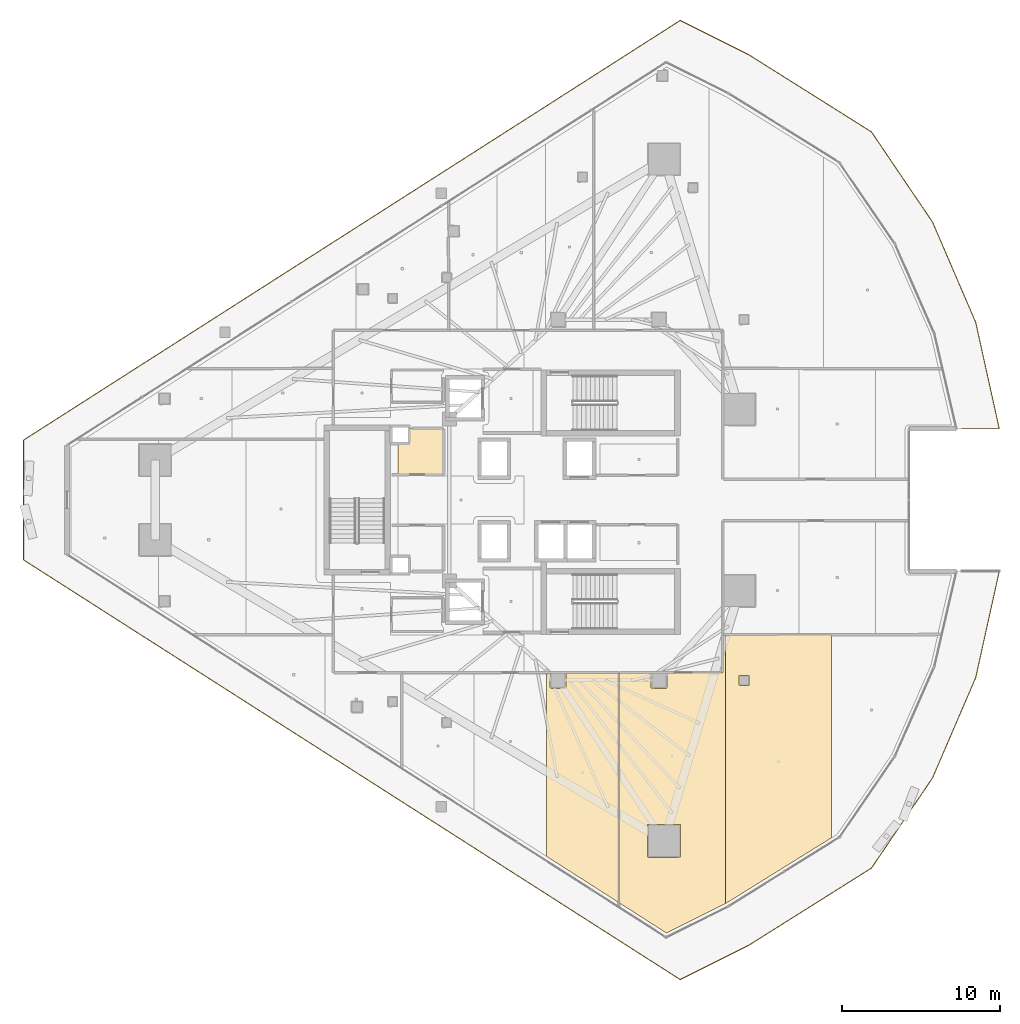
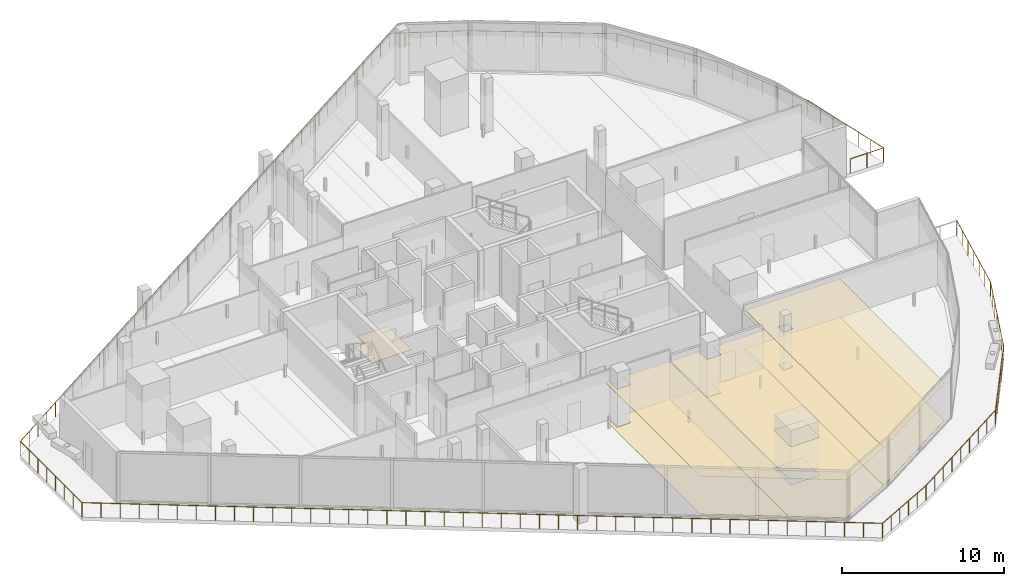
# One storey, part 33 of 37: 7 coverings, 1 railing.
"""IFC4 building model written with IfcOpenShell, lengths in metres."""

from ifc_helpers import new_model, si_unit, direction, frame, origin, origin_2d, place, context, subcontext, project, spatial, polyline, circle, outline, extrude, material, layer, layer_set, type_object, element, save


model = new_model("IFC4")

# Units and contexts
model_context = context("Model", 3, precision=1e-05, world=origin(), true_north=direction((0.0, 1.0)))
body_context = subcontext(model_context, "Body", "Model", "MODEL_VIEW")
ifc_project = project(units=[si_unit("LENGTHUNIT", "METRE"), si_unit("AREAUNIT", "SQUARE_METRE"), si_unit("VOLUMEUNIT", "CUBIC_METRE"), si_unit("PLANEANGLEUNIT", "RADIAN"), si_unit("MASSUNIT", "GRAM", prefix="KILO")], contexts=[model_context])

# Site, building, storey
site_placement = place(None, origin())
site = spatial("IfcSite", under=ifc_project, at=site_placement, CompositionType="ELEMENT")
building_placement = place(site_placement, origin())
building = spatial("IfcBuilding", under=site, at=building_placement, Name="Qorvath Tower", CompositionType="ELEMENT")
storey_placement = place(building_placement, frame((0.0, 0.0, 196.949951171875)))
storey = spatial("IfcBuildingStorey", under=building, at=storey_placement, Name="L45", CompositionType="ELEMENT", Elevation=196.949951171875)

# Coverings
ifc_material_1 = material(Name="Acoustic mineral fibre ceiling tile", Category="gypsum")
ifc_layer_1 = layer(ifc_material_1, 0.030029296875)
ifc_layer_set_1 = layer_set([ifc_layer_1], Name="COV-CEIL")
covering_type_1 = type_object("IfcCoveringType", Name="COV-CEIL", PredefinedType="CEILING", material=ifc_layer_set_1)
covering_1_placement = place(storey_placement, frame((0.0, 0.0, 2.85009765625)))
element("IfcCovering", 1, at=covering_1_placement, inside=storey, type_object=covering_type_1, Name="L45 Suspended Acoustic Ceiling 024", PredefinedType="CEILING", context=body_context, shape_type="SweptSolid", body=[
    extrude(outline(polyline([(-24.340087890625, -10.962890625), (-24.340087890625, -22.61279296875), (-19.75732421875, -25.5419921875), (-19.75732421875, -10.962890625), (-23.105224609375, -10.962890625), (-23.107666015625, -11.9423828125), (-24.050048828125, -11.9599609375), (-24.110107421875, -11.89990234375), (-24.0947265625, -10.962890625), (-24.340087890625, -10.962890625)])), origin(), (0.0, 0.0, 1.0), 0.030029296875),
])
covering_2_placement = place(storey_placement, frame((0.0, 0.0, 2.85009765625)))
element("IfcCovering", 2, at=covering_2_placement, inside=storey, type_object=covering_type_1, Name="L45 Suspended Acoustic Ceiling 025", PredefinedType="CEILING", context=body_context, shape_type="SweptSolid", body=[
    extrude(outline(polyline([(-17.694580078125, -10.962890625), (-19.7392578125, -10.962890625), (-19.7392578125, -25.553466796875), (-16.7275390625, -27.478271484375), (-12.99365234375, -25.611328125), (-12.99365234375, -8.554931640625), (-13.136962890625, -8.554931640625), (-13.138427734375, -10.96142578125), (-16.705322265625, -10.962890625), (-16.68994140625, -11.89990234375), (-16.75, -11.9599609375), (-17.6923828125, -11.9423828125), (-17.694580078125, -10.962890625)]), holes=[polyline([(-17.931640625, -22.627197265625), (-17.9140625, -20.584716796875), (-15.829345703125, -20.584716796875), (-15.829345703125, -22.66943359375), (-17.87158203125, -22.68701171875), (-17.931640625, -22.627197265625)])]), origin(), (0.0, 0.0, 1.0), 0.030029296875),
])
covering_3_placement = place(storey_placement, frame((0.0, 0.0, 2.85009765625)))
element("IfcCovering", 3, at=covering_3_placement, inside=storey, type_object=covering_type_1, Name="L45 Suspended Acoustic Ceiling 026", PredefinedType="CEILING", context=body_context, shape_type="SweptSolid", body=[
    extrude(outline(polyline([(-12.99365234375, -8.554931640625), (-12.99365234375, -25.611328125), (-12.900390625, -25.564697265625), (-6.247802734375, -21.436767578125), (-6.247802734375, -8.54736328125), (-12.99365234375, -8.554931640625)]), holes=[polyline([(-12.135009765625, -11.72509765625), (-12.117431640625, -11.132568359375), (-11.482666015625, -11.132568359375), (-11.482666015625, -11.767333984375), (-12.074951171875, -11.784912109375), (-12.135009765625, -11.72509765625)])]), origin(), (0.0, 0.0, 1.0), 0.030029296875),
])
ifc_material_2 = material(Name="Low-VOC modular carpet tile", Category="textile")
ifc_layer_2 = layer(ifc_material_2, 0.014892578125)
ifc_layer_set_2 = layer_set([ifc_layer_2], Name="COV-FLOOR-CPT")
covering_type_2 = type_object("IfcCoveringType", Name="COV-FLOOR-CPT", PredefinedType="FLOORING", material=ifc_layer_set_2)
covering_4_placement = place(storey_placement, origin())
element("IfcCovering", 4, at=covering_4_placement, inside=storey, type_object=covering_type_2, Name="L45 Floor Finish 006", PredefinedType="FLOORING", context=body_context, shape_type="SweptSolid", body=[
    extrude(outline(polyline([(-33.760009765625, 3.636962890625), (-33.760009765625, 1.60498046875), (-30.885009765625, 1.60498046875), (-30.885009765625, 4.534912109375), (-33.0869140625, 4.534912109375), (-33.092041015625, 3.636962890625), (-33.760009765625, 3.636962890625)])), origin(), (0.0, 0.0, 1.0), 0.01513671875),
])
covering_5_placement = place(storey_placement, origin())
element("IfcCovering", 5, at=covering_5_placement, inside=storey, type_object=covering_type_2, Name="L45 Floor Finish 024", PredefinedType="FLOORING", context=body_context, shape_type="SweptSolid", body=[
    extrude(outline(polyline([(-24.340087890625, -10.962890625), (-24.340087890625, -22.61279296875), (-19.75732421875, -25.5419921875), (-19.75732421875, -10.962890625), (-23.105224609375, -10.962890625), (-23.107666015625, -11.9423828125), (-24.050048828125, -11.9599609375), (-24.110107421875, -11.89990234375), (-24.0947265625, -10.962890625), (-24.340087890625, -10.962890625)])), origin(), (0.0, 0.0, 1.0), 0.01513671875),
])
covering_6_placement = place(storey_placement, origin())
element("IfcCovering", 6, at=covering_6_placement, inside=storey, type_object=covering_type_2, Name="L45 Floor Finish 025", PredefinedType="FLOORING", context=body_context, shape_type="SweptSolid", body=[
    extrude(outline(polyline([(-17.694580078125, -10.962890625), (-19.7392578125, -10.962890625), (-19.7392578125, -25.553466796875), (-16.7275390625, -27.478271484375), (-12.99365234375, -25.611328125), (-12.99365234375, -8.554931640625), (-13.136962890625, -8.554931640625), (-13.138427734375, -10.96142578125), (-16.705322265625, -10.962890625), (-16.68994140625, -11.89990234375), (-16.75, -11.9599609375), (-17.6923828125, -11.9423828125), (-17.694580078125, -10.962890625)]), holes=[polyline([(-17.931640625, -22.627197265625), (-17.9140625, -20.584716796875), (-15.829345703125, -20.584716796875), (-15.829345703125, -22.66943359375), (-17.87158203125, -22.68701171875), (-17.931640625, -22.627197265625)])]), origin(), (0.0, 0.0, 1.0), 0.01513671875),
])
covering_7_placement = place(storey_placement, origin())
element("IfcCovering", 7, at=covering_7_placement, inside=storey, type_object=covering_type_2, Name="L45 Floor Finish 026", PredefinedType="FLOORING", context=body_context, shape_type="SweptSolid", body=[
    extrude(outline(polyline([(-12.99365234375, -8.554931640625), (-12.99365234375, -25.611328125), (-12.900390625, -25.564697265625), (-6.247802734375, -21.436767578125), (-6.247802734375, -8.54736328125), (-12.99365234375, -8.554931640625)]), holes=[polyline([(-12.135009765625, -11.72509765625), (-12.117431640625, -11.132568359375), (-11.482666015625, -11.132568359375), (-11.482666015625, -11.767333984375), (-12.074951171875, -11.784912109375), (-12.135009765625, -11.72509765625)])]), origin(), (0.0, 0.0, 1.0), 0.01513671875),
])

# Railing
ifc_material_3 = material(Name="Laminated safety glass and stainless steel AISI 316", Category="steel")
railing_type = type_object("IfcRailingType", Name="RL-EXT-GRD", PredefinedType="GUARDRAIL", material=ifc_material_3)
railing_placement = place(storey_placement, frame((4.400390625, -4.519775390625, 0.0)))
element("IfcRailing", 8, at=railing_placement, inside=storey, type_object=railing_type, Name="Loggia Perimeter Guardrail L45-1.1", PredefinedType="GUARDRAIL", context=body_context, shape_type="SweptSolid", body=[
    extrude(circle(Radius=0.02392578125, at=origin_2d()), frame((0.0, 0.0, 1.09619140625), z_axis=(-0.216086299344, -0.976374268012, 0.0), x_axis=(0.976374268012, -0.216086299344, 0.0)), (0.0, 0.0, 1.0), 6.92138671875),
    extrude(circle(Radius=0.02392578125, at=origin_2d()), frame((-1.49560546875, -6.7578125, 1.09619140625), z_axis=(-0.395493893873, -0.918468605838, 0.0), x_axis=(0.918468605838, -0.395493893873, 0.0)), (0.0, 0.0, 1.0), 6.921142578125),
    extrude(circle(Radius=0.02392578125, at=origin_2d()), frame((-4.23291015625, -13.11474609375, 1.09619140625), z_axis=(-0.560814607135, -0.827941408811, 0.0), x_axis=(0.827941408811, -0.560814607135, 0.0)), (0.0, 0.0, 1.0), 6.92138671875),
    extrude(circle(Radius=0.02392578125, at=origin_2d()), frame((-8.114501953125, -18.84521484375, 1.09619140625), z_axis=(-0.846504714784, -0.53238122417, 0.0), x_axis=(0.53238122417, -0.846504714784, 0.0)), (0.0, 0.0, 1.0), 9.203857421875),
    extrude(circle(Radius=0.02392578125, at=origin_2d()), frame((-15.905517578125, -23.7451171875, 1.09619140625), z_axis=(-0.89441714735, -0.447233682236, 0.0), x_axis=(0.447233682236, -0.89441714735, 0.0)), (0.0, 0.0, 1.0), 4.86181640625),
    extrude(circle(Radius=0.02392578125, at=origin_2d()), frame((-20.25390625, -25.91943359375, 1.09619140625), z_axis=(-0.84260492013, 0.538532216839, 0.0), x_axis=(-0.538532216839, -0.84260492013, 0.0)), (0.0, 0.0, 1.0), 49.457275390625),
    extrude(circle(Radius=0.02392578125, at=origin_2d()), frame((-61.9267578125, 0.71484375, 1.09619140625), z_axis=(0.0, 1.0, 0.0), x_axis=(-1.0, 0.0, 0.0)), (0.0, 0.0, 1.0), 7.60986328125),
    extrude(circle(Radius=0.02392578125, at=origin_2d()), frame((-61.9267578125, 8.32470703125, 1.09619140625), z_axis=(0.84260492013, 0.538532216839, 0.0), x_axis=(-0.538532216839, 0.84260492013, 0.0)), (0.0, 0.0, 1.0), 49.457275390625),
    extrude(circle(Radius=0.02392578125, at=origin_2d()), frame((-20.25390625, 34.958984375, 1.09619140625), z_axis=(0.89441714735, -0.447233682236, 0.0), x_axis=(0.447233682236, 0.89441714735, 0.0)), (0.0, 0.0, 1.0), 4.86181640625),
    extrude(circle(Radius=0.02392578125, at=origin_2d()), frame((-15.905517578125, 32.78466796875, 1.09619140625), z_axis=(0.846504714784, -0.53238122417, 0.0), x_axis=(0.53238122417, 0.846504714784, 0.0)), (0.0, 0.0, 1.0), 9.203857421875),
    extrude(circle(Radius=0.02392578125, at=origin_2d()), frame((-8.114501953125, 27.884765625, 1.09619140625), z_axis=(0.560814607135, -0.827941408811, 0.0), x_axis=(0.827941408811, 0.560814607135, 0.0)), (0.0, 0.0, 1.0), 6.92138671875),
    extrude(circle(Radius=0.02392578125, at=origin_2d()), frame((-4.23291015625, 22.154296875, 1.09619140625), z_axis=(0.395493893873, -0.918468605838, 0.0), x_axis=(0.918468605838, 0.395493893873, 0.0)), (0.0, 0.0, 1.0), 6.921142578125),
    extrude(circle(Radius=0.02392578125, at=origin_2d()), frame((-1.49560546875, 15.79736328125, 1.09619140625), z_axis=(0.216086299344, -0.976374268012, 0.0), x_axis=(0.976374268012, 0.216086299344, 0.0)), (0.0, 0.0, 1.0), 6.92138671875),
    extrude(circle(Radius=0.02392578125, at=origin_2d()), frame((0.0, 9.03955078125, 1.09619140625), z_axis=(-1.0, 0.0, 0.0), x_axis=(0.0, -1.0, 0.0)), (0.0, 0.0, 1.0), 2.36669921875),
    extrude(circle(Radius=0.02099609375, at=origin_2d()), origin(), (0.0, 0.0, 1.0), 1.072021484375),
    extrude(circle(Radius=0.02099609375, at=origin_2d()), frame((-0.249267578125, -1.126220703125, 0.0)), (0.0, 0.0, 1.0), 1.072021484375),
    extrude(circle(Radius=0.02099609375, at=origin_2d()), frame((-0.49853515625, -2.252685546875, 0.0)), (0.0, 0.0, 1.0), 1.072021484375),
    extrude(circle(Radius=0.02099609375, at=origin_2d()), frame((-0.747802734375, -3.37890625, 0.0)), (0.0, 0.0, 1.0), 1.072021484375),
    extrude(circle(Radius=0.02099609375, at=origin_2d()), frame((-0.9970703125, -4.505126953125, 0.0)), (0.0, 0.0, 1.0), 1.072021484375),
    extrude(circle(Radius=0.02099609375, at=origin_2d()), frame((-1.246337890625, -5.631591796875, 0.0)), (0.0, 0.0, 1.0), 1.072021484375),
    extrude(circle(Radius=0.02099609375, at=origin_2d()), frame((-1.49560546875, -6.7578125, 0.0)), (0.0, 0.0, 1.0), 1.072021484375),
    extrude(circle(Radius=0.02099609375, at=origin_2d()), frame((-1.951904296875, -7.8173828125, 0.0)), (0.0, 0.0, 1.0), 1.072021484375),
    extrude(circle(Radius=0.02099609375, at=origin_2d()), frame((-2.407958984375, -8.876708984375, 0.0)), (0.0, 0.0, 1.0), 1.072021484375),
    extrude(circle(Radius=0.02099609375, at=origin_2d()), frame((-2.8642578125, -9.936279296875, 0.0)), (0.0, 0.0, 1.0), 1.072021484375),
    extrude(circle(Radius=0.02099609375, at=origin_2d()), frame((-3.320556640625, -10.995849609375, 0.0)), (0.0, 0.0, 1.0), 1.072021484375),
    extrude(circle(Radius=0.02099609375, at=origin_2d()), frame((-3.776611328125, -12.05517578125, 0.0)), (0.0, 0.0, 1.0), 1.072021484375),
    extrude(circle(Radius=0.02099609375, at=origin_2d()), frame((-4.23291015625, -13.11474609375, 0.0)), (0.0, 0.0, 1.0), 1.072021484375),
    extrude(circle(Radius=0.02099609375, at=origin_2d()), frame((-4.8798828125, -14.06982421875, 0.0)), (0.0, 0.0, 1.0), 1.072021484375),
    extrude(circle(Radius=0.02099609375, at=origin_2d()), frame((-5.52685546875, -15.02490234375, 0.0)), (0.0, 0.0, 1.0), 1.072021484375),
    extrude(circle(Radius=0.02099609375, at=origin_2d()), frame((-6.173828125, -15.97998046875, 0.0)), (0.0, 0.0, 1.0), 1.072021484375),
    extrude(circle(Radius=0.02099609375, at=origin_2d()), frame((-6.820556640625, -16.93505859375, 0.0)), (0.0, 0.0, 1.0), 1.072021484375),
    extrude(circle(Radius=0.02099609375, at=origin_2d()), frame((-7.467529296875, -17.89013671875, 0.0)), (0.0, 0.0, 1.0), 1.072021484375),
    extrude(circle(Radius=0.02099609375, at=origin_2d()), frame((-8.114501953125, -18.84521484375, 0.0)), (0.0, 0.0, 1.0), 1.072021484375),
    extrude(circle(Radius=0.02099609375, at=origin_2d()), frame((-9.08837890625, -19.457763671875, 0.0)), (0.0, 0.0, 1.0), 1.072021484375),
    extrude(circle(Radius=0.02099609375, at=origin_2d()), frame((-10.062255859375, -20.0703125, 0.0)), (0.0, 0.0, 1.0), 1.072021484375),
    extrude(circle(Radius=0.02099609375, at=origin_2d()), frame((-11.0361328125, -20.6826171875, 0.0)), (0.0, 0.0, 1.0), 1.072021484375),
    extrude(circle(Radius=0.02099609375, at=origin_2d()), frame((-12.010009765625, -21.295166015625, 0.0)), (0.0, 0.0, 1.0), 1.072021484375),
    extrude(circle(Radius=0.02099609375, at=origin_2d()), frame((-12.98388671875, -21.90771484375, 0.0)), (0.0, 0.0, 1.0), 1.072021484375),
    extrude(circle(Radius=0.02099609375, at=origin_2d()), frame((-13.957763671875, -22.52001953125, 0.0)), (0.0, 0.0, 1.0), 1.072021484375),
    extrude(circle(Radius=0.02099609375, at=origin_2d()), frame((-14.931640625, -23.132568359375, 0.0)), (0.0, 0.0, 1.0), 1.072021484375),
    extrude(circle(Radius=0.02099609375, at=origin_2d()), frame((-15.905517578125, -23.7451171875, 0.0)), (0.0, 0.0, 1.0), 1.072021484375),
    extrude(circle(Radius=0.02099609375, at=origin_2d()), frame((-16.775146484375, -24.179931640625, 0.0)), (0.0, 0.0, 1.0), 1.072021484375),
    extrude(circle(Radius=0.02099609375, at=origin_2d()), frame((-17.644775390625, -24.61474609375, 0.0)), (0.0, 0.0, 1.0), 1.072021484375),
    extrude(circle(Radius=0.02099609375, at=origin_2d()), frame((-18.5146484375, -25.0498046875, 0.0)), (0.0, 0.0, 1.0), 1.072021484375),
    extrude(circle(Radius=0.02099609375, at=origin_2d()), frame((-19.38427734375, -25.484619140625, 0.0)), (0.0, 0.0, 1.0), 1.072021484375),
    extrude(circle(Radius=0.02099609375, at=origin_2d()), frame((-20.25390625, -25.91943359375, 0.0)), (0.0, 0.0, 1.0), 1.072021484375),
    extrude(circle(Radius=0.02099609375, at=origin_2d()), frame((-21.24609375, -25.285400390625, 0.0)), (0.0, 0.0, 1.0), 1.072021484375),
    extrude(circle(Radius=0.02099609375, at=origin_2d()), frame((-22.23828125, -24.651123046875, 0.0)), (0.0, 0.0, 1.0), 1.072021484375),
    extrude(circle(Radius=0.02099609375, at=origin_2d()), frame((-23.23046875, -24.01708984375, 0.0)), (0.0, 0.0, 1.0), 1.072021484375),
    extrude(circle(Radius=0.02099609375, at=origin_2d()), frame((-24.22265625, -23.3828125, 0.0)), (0.0, 0.0, 1.0), 1.072021484375),
    extrude(circle(Radius=0.02099609375, at=origin_2d()), frame((-25.21484375, -22.748779296875, 0.0)), (0.0, 0.0, 1.0), 1.072021484375),
    extrude(circle(Radius=0.02099609375, at=origin_2d()), frame((-26.207275390625, -22.114501953125, 0.0)), (0.0, 0.0, 1.0), 1.072021484375),
    extrude(circle(Radius=0.02099609375, at=origin_2d()), frame((-27.199462890625, -21.48046875, 0.0)), (0.0, 0.0, 1.0), 1.072021484375),
    extrude(circle(Radius=0.02099609375, at=origin_2d()), frame((-28.191650390625, -20.84619140625, 0.0)), (0.0, 0.0, 1.0), 1.072021484375),
    extrude(circle(Radius=0.02099609375, at=origin_2d()), frame((-29.183837890625, -20.212158203125, 0.0)), (0.0, 0.0, 1.0), 1.072021484375),
    extrude(circle(Radius=0.02099609375, at=origin_2d()), frame((-30.176025390625, -19.577880859375, 0.0)), (0.0, 0.0, 1.0), 1.072021484375),
    extrude(circle(Radius=0.02099609375, at=origin_2d()), frame((-31.168212890625, -18.94384765625, 0.0)), (0.0, 0.0, 1.0), 1.072021484375),
    extrude(circle(Radius=0.02099609375, at=origin_2d()), frame((-32.160400390625, -18.3095703125, 0.0)), (0.0, 0.0, 1.0), 1.072021484375),
    extrude(circle(Radius=0.02099609375, at=origin_2d()), frame((-33.152587890625, -17.675537109375, 0.0)), (0.0, 0.0, 1.0), 1.072021484375),
    extrude(circle(Radius=0.02099609375, at=origin_2d()), frame((-34.144775390625, -17.041259765625, 0.0)), (0.0, 0.0, 1.0), 1.072021484375),
    extrude(circle(Radius=0.02099609375, at=origin_2d()), frame((-35.136962890625, -16.4072265625, 0.0)), (0.0, 0.0, 1.0), 1.072021484375),
    extrude(circle(Radius=0.02099609375, at=origin_2d()), frame((-36.12939453125, -15.77294921875, 0.0)), (0.0, 0.0, 1.0), 1.072021484375),
    extrude(circle(Radius=0.02099609375, at=origin_2d()), frame((-37.12158203125, -15.138916015625, 0.0)), (0.0, 0.0, 1.0), 1.072021484375),
    extrude(circle(Radius=0.02099609375, at=origin_2d()), frame((-38.11376953125, -14.504638671875, 0.0)), (0.0, 0.0, 1.0), 1.072021484375),
    extrude(circle(Radius=0.02099609375, at=origin_2d()), frame((-39.10595703125, -13.87060546875, 0.0)), (0.0, 0.0, 1.0), 1.072021484375),
    extrude(circle(Radius=0.02099609375, at=origin_2d()), frame((-40.09814453125, -13.236328125, 0.0)), (0.0, 0.0, 1.0), 1.072021484375),
    extrude(circle(Radius=0.02099609375, at=origin_2d()), frame((-41.09033203125, -12.602294921875, 0.0)), (0.0, 0.0, 1.0), 1.072021484375),
    extrude(circle(Radius=0.02099609375, at=origin_2d()), frame((-42.08251953125, -11.96826171875, 0.0)), (0.0, 0.0, 1.0), 1.072021484375),
    extrude(circle(Radius=0.02099609375, at=origin_2d()), frame((-43.07470703125, -11.333984375, 0.0)), (0.0, 0.0, 1.0), 1.072021484375),
    extrude(circle(Radius=0.02099609375, at=origin_2d()), frame((-44.06689453125, -10.699951171875, 0.0)), (0.0, 0.0, 1.0), 1.072021484375),
    extrude(circle(Radius=0.02099609375, at=origin_2d()), frame((-45.05908203125, -10.065673828125, 0.0)), (0.0, 0.0, 1.0), 1.072021484375),
    extrude(circle(Radius=0.02099609375, at=origin_2d()), frame((-46.05126953125, -9.431640625, 0.0)), (0.0, 0.0, 1.0), 1.072021484375),
    extrude(circle(Radius=0.02099609375, at=origin_2d()), frame((-47.043701171875, -8.79736328125, 0.0)), (0.0, 0.0, 1.0), 1.072021484375),
    extrude(circle(Radius=0.02099609375, at=origin_2d()), frame((-48.035888671875, -8.163330078125, 0.0)), (0.0, 0.0, 1.0), 1.072021484375),
    extrude(circle(Radius=0.02099609375, at=origin_2d()), frame((-49.028076171875, -7.529052734375, 0.0)), (0.0, 0.0, 1.0), 1.072021484375),
    extrude(circle(Radius=0.02099609375, at=origin_2d()), frame((-50.020263671875, -6.89501953125, 0.0)), (0.0, 0.0, 1.0), 1.072021484375),
    extrude(circle(Radius=0.02099609375, at=origin_2d()), frame((-51.012451171875, -6.2607421875, 0.0)), (0.0, 0.0, 1.0), 1.072021484375),
    extrude(circle(Radius=0.02099609375, at=origin_2d()), frame((-52.004638671875, -5.626708984375, 0.0)), (0.0, 0.0, 1.0), 1.072021484375),
    extrude(circle(Radius=0.02099609375, at=origin_2d()), frame((-52.996826171875, -4.992431640625, 0.0)), (0.0, 0.0, 1.0), 1.072021484375),
    extrude(circle(Radius=0.02099609375, at=origin_2d()), frame((-53.989013671875, -4.3583984375, 0.0)), (0.0, 0.0, 1.0), 1.072021484375),
    extrude(circle(Radius=0.02099609375, at=origin_2d()), frame((-54.981201171875, -3.72412109375, 0.0)), (0.0, 0.0, 1.0), 1.072021484375),
    extrude(circle(Radius=0.02099609375, at=origin_2d()), frame((-55.973388671875, -3.090087890625, 0.0)), (0.0, 0.0, 1.0), 1.072021484375),
    extrude(circle(Radius=0.02099609375, at=origin_2d()), frame((-56.9658203125, -2.455810546875, 0.0)), (0.0, 0.0, 1.0), 1.072021484375),
    extrude(circle(Radius=0.02099609375, at=origin_2d()), frame((-57.9580078125, -1.82177734375, 0.0)), (0.0, 0.0, 1.0), 1.072021484375),
    extrude(circle(Radius=0.02099609375, at=origin_2d()), frame((-58.9501953125, -1.1875, 0.0)), (0.0, 0.0, 1.0), 1.072021484375),
    extrude(circle(Radius=0.02099609375, at=origin_2d()), frame((-59.9423828125, -0.553466796875, 0.0)), (0.0, 0.0, 1.0), 1.072021484375),
    extrude(circle(Radius=0.02099609375, at=origin_2d()), frame((-60.9345703125, 0.080810546875, 0.0)), (0.0, 0.0, 1.0), 1.072021484375),
    extrude(circle(Radius=0.02099609375, at=origin_2d()), frame((-61.9267578125, 0.71484375, 0.0)), (0.0, 0.0, 1.0), 1.072021484375),
    extrude(circle(Radius=0.02099609375, at=origin_2d()), frame((-61.9267578125, 1.802001953125, 0.0)), (0.0, 0.0, 1.0), 1.072021484375),
    extrude(circle(Radius=0.02099609375, at=origin_2d()), frame((-61.9267578125, 2.88916015625, 0.0)), (0.0, 0.0, 1.0), 1.072021484375),
    extrude(circle(Radius=0.02099609375, at=origin_2d()), frame((-61.9267578125, 3.976318359375, 0.0)), (0.0, 0.0, 1.0), 1.072021484375),
    extrude(circle(Radius=0.02099609375, at=origin_2d()), frame((-61.9267578125, 5.063232421875, 0.0)), (0.0, 0.0, 1.0), 1.072021484375),
    extrude(circle(Radius=0.02099609375, at=origin_2d()), frame((-61.9267578125, 6.150390625, 0.0)), (0.0, 0.0, 1.0), 1.072021484375),
    extrude(circle(Radius=0.02099609375, at=origin_2d()), frame((-61.9267578125, 7.237548828125, 0.0)), (0.0, 0.0, 1.0), 1.072021484375),
    extrude(circle(Radius=0.02099609375, at=origin_2d()), frame((-61.9267578125, 8.32470703125, 0.0)), (0.0, 0.0, 1.0), 1.072021484375),
    extrude(circle(Radius=0.02099609375, at=origin_2d()), frame((-60.9345703125, 8.958740234375, 0.0)), (0.0, 0.0, 1.0), 1.072021484375),
    extrude(circle(Radius=0.02099609375, at=origin_2d()), frame((-59.9423828125, 9.593017578125, 0.0)), (0.0, 0.0, 1.0), 1.072021484375),
    extrude(circle(Radius=0.02099609375, at=origin_2d()), frame((-58.9501953125, 10.22705078125, 0.0)), (0.0, 0.0, 1.0), 1.072021484375),
    extrude(circle(Radius=0.02099609375, at=origin_2d()), frame((-57.9580078125, 10.861328125, 0.0)), (0.0, 0.0, 1.0), 1.072021484375),
    extrude(circle(Radius=0.02099609375, at=origin_2d()), frame((-56.9658203125, 11.495361328125, 0.0)), (0.0, 0.0, 1.0), 1.072021484375),
    extrude(circle(Radius=0.02099609375, at=origin_2d()), frame((-55.973388671875, 12.129638671875, 0.0)), (0.0, 0.0, 1.0), 1.072021484375),
    extrude(circle(Radius=0.02099609375, at=origin_2d()), frame((-54.981201171875, 12.763671875, 0.0)), (0.0, 0.0, 1.0), 1.072021484375),
    extrude(circle(Radius=0.02099609375, at=origin_2d()), frame((-53.989013671875, 13.39794921875, 0.0)), (0.0, 0.0, 1.0), 1.072021484375),
    extrude(circle(Radius=0.02099609375, at=origin_2d()), frame((-52.996826171875, 14.031982421875, 0.0)), (0.0, 0.0, 1.0), 1.072021484375),
    extrude(circle(Radius=0.02099609375, at=origin_2d()), frame((-52.004638671875, 14.666259765625, 0.0)), (0.0, 0.0, 1.0), 1.072021484375),
    extrude(circle(Radius=0.02099609375, at=origin_2d()), frame((-51.012451171875, 15.30029296875, 0.0)), (0.0, 0.0, 1.0), 1.072021484375),
    extrude(circle(Radius=0.02099609375, at=origin_2d()), frame((-50.020263671875, 15.9345703125, 0.0)), (0.0, 0.0, 1.0), 1.072021484375),
    extrude(circle(Radius=0.02099609375, at=origin_2d()), frame((-49.028076171875, 16.568603515625, 0.0)), (0.0, 0.0, 1.0), 1.072021484375),
    extrude(circle(Radius=0.02099609375, at=origin_2d()), frame((-48.035888671875, 17.202880859375, 0.0)), (0.0, 0.0, 1.0), 1.072021484375),
    extrude(circle(Radius=0.02099609375, at=origin_2d()), frame((-47.043701171875, 17.8369140625, 0.0)), (0.0, 0.0, 1.0), 1.072021484375),
    extrude(circle(Radius=0.02099609375, at=origin_2d()), frame((-46.05126953125, 18.47119140625, 0.0)), (0.0, 0.0, 1.0), 1.072021484375),
    extrude(circle(Radius=0.02099609375, at=origin_2d()), frame((-45.05908203125, 19.105224609375, 0.0)), (0.0, 0.0, 1.0), 1.072021484375),
    extrude(circle(Radius=0.02099609375, at=origin_2d()), frame((-44.06689453125, 19.739501953125, 0.0)), (0.0, 0.0, 1.0), 1.072021484375),
    extrude(circle(Radius=0.02099609375, at=origin_2d()), frame((-43.07470703125, 20.37353515625, 0.0)), (0.0, 0.0, 1.0), 1.072021484375),
    extrude(circle(Radius=0.02099609375, at=origin_2d()), frame((-42.08251953125, 21.0078125, 0.0)), (0.0, 0.0, 1.0), 1.072021484375),
    extrude(circle(Radius=0.02099609375, at=origin_2d()), frame((-41.09033203125, 21.641845703125, 0.0)), (0.0, 0.0, 1.0), 1.072021484375),
    extrude(circle(Radius=0.02099609375, at=origin_2d()), frame((-40.09814453125, 22.27587890625, 0.0)), (0.0, 0.0, 1.0), 1.072021484375),
    extrude(circle(Radius=0.02099609375, at=origin_2d()), frame((-39.10595703125, 22.91015625, 0.0)), (0.0, 0.0, 1.0), 1.072021484375),
    extrude(circle(Radius=0.02099609375, at=origin_2d()), frame((-38.11376953125, 23.544189453125, 0.0)), (0.0, 0.0, 1.0), 1.072021484375),
    extrude(circle(Radius=0.02099609375, at=origin_2d()), frame((-37.12158203125, 24.178466796875, 0.0)), (0.0, 0.0, 1.0), 1.072021484375),
    extrude(circle(Radius=0.02099609375, at=origin_2d()), frame((-36.12939453125, 24.8125, 0.0)), (0.0, 0.0, 1.0), 1.072021484375),
    extrude(circle(Radius=0.02099609375, at=origin_2d()), frame((-35.136962890625, 25.44677734375, 0.0)), (0.0, 0.0, 1.0), 1.072021484375),
    extrude(circle(Radius=0.02099609375, at=origin_2d()), frame((-34.144775390625, 26.080810546875, 0.0)), (0.0, 0.0, 1.0), 1.072021484375),
    extrude(circle(Radius=0.02099609375, at=origin_2d()), frame((-33.152587890625, 26.715087890625, 0.0)), (0.0, 0.0, 1.0), 1.072021484375),
    extrude(circle(Radius=0.02099609375, at=origin_2d()), frame((-32.160400390625, 27.34912109375, 0.0)), (0.0, 0.0, 1.0), 1.072021484375),
    extrude(circle(Radius=0.02099609375, at=origin_2d()), frame((-31.168212890625, 27.9833984375, 0.0)), (0.0, 0.0, 1.0), 1.072021484375),
    extrude(circle(Radius=0.02099609375, at=origin_2d()), frame((-30.176025390625, 28.617431640625, 0.0)), (0.0, 0.0, 1.0), 1.072021484375),
    extrude(circle(Radius=0.02099609375, at=origin_2d()), frame((-29.183837890625, 29.251708984375, 0.0)), (0.0, 0.0, 1.0), 1.072021484375),
    extrude(circle(Radius=0.02099609375, at=origin_2d()), frame((-28.191650390625, 29.8857421875, 0.0)), (0.0, 0.0, 1.0), 1.072021484375),
    extrude(circle(Radius=0.02099609375, at=origin_2d()), frame((-27.199462890625, 30.52001953125, 0.0)), (0.0, 0.0, 1.0), 1.072021484375),
    extrude(circle(Radius=0.02099609375, at=origin_2d()), frame((-26.207275390625, 31.154052734375, 0.0)), (0.0, 0.0, 1.0), 1.072021484375),
    extrude(circle(Radius=0.02099609375, at=origin_2d()), frame((-25.21484375, 31.788330078125, 0.0)), (0.0, 0.0, 1.0), 1.072021484375),
    extrude(circle(Radius=0.02099609375, at=origin_2d()), frame((-24.22265625, 32.42236328125, 0.0)), (0.0, 0.0, 1.0), 1.072021484375),
    extrude(circle(Radius=0.02099609375, at=origin_2d()), frame((-23.23046875, 33.056640625, 0.0)), (0.0, 0.0, 1.0), 1.072021484375),
    extrude(circle(Radius=0.02099609375, at=origin_2d()), frame((-22.23828125, 33.690673828125, 0.0)), (0.0, 0.0, 1.0), 1.072021484375),
    extrude(circle(Radius=0.02099609375, at=origin_2d()), frame((-21.24609375, 34.324951171875, 0.0)), (0.0, 0.0, 1.0), 1.072021484375),
    extrude(circle(Radius=0.02099609375, at=origin_2d()), frame((-20.25390625, 34.958984375, 0.0)), (0.0, 0.0, 1.0), 1.072021484375),
    extrude(circle(Radius=0.02099609375, at=origin_2d()), frame((-19.38427734375, 34.524169921875, 0.0)), (0.0, 0.0, 1.0), 1.072021484375),
    extrude(circle(Radius=0.02099609375, at=origin_2d()), frame((-18.5146484375, 34.08935546875, 0.0)), (0.0, 0.0, 1.0), 1.072021484375),
    extrude(circle(Radius=0.02099609375, at=origin_2d()), frame((-17.644775390625, 33.654296875, 0.0)), (0.0, 0.0, 1.0), 1.072021484375),
    extrude(circle(Radius=0.02099609375, at=origin_2d()), frame((-16.775146484375, 33.219482421875, 0.0)), (0.0, 0.0, 1.0), 1.072021484375),
    extrude(circle(Radius=0.02099609375, at=origin_2d()), frame((-15.905517578125, 32.78466796875, 0.0)), (0.0, 0.0, 1.0), 1.072021484375),
    extrude(circle(Radius=0.02099609375, at=origin_2d()), frame((-14.931640625, 32.172119140625, 0.0)), (0.0, 0.0, 1.0), 1.072021484375),
    extrude(circle(Radius=0.02099609375, at=origin_2d()), frame((-13.957763671875, 31.5595703125, 0.0)), (0.0, 0.0, 1.0), 1.072021484375),
    extrude(circle(Radius=0.02099609375, at=origin_2d()), frame((-12.98388671875, 30.947265625, 0.0)), (0.0, 0.0, 1.0), 1.072021484375),
    extrude(circle(Radius=0.02099609375, at=origin_2d()), frame((-12.010009765625, 30.334716796875, 0.0)), (0.0, 0.0, 1.0), 1.072021484375),
    extrude(circle(Radius=0.02099609375, at=origin_2d()), frame((-11.0361328125, 29.72216796875, 0.0)), (0.0, 0.0, 1.0), 1.072021484375),
    extrude(circle(Radius=0.02099609375, at=origin_2d()), frame((-10.062255859375, 29.10986328125, 0.0)), (0.0, 0.0, 1.0), 1.072021484375),
    extrude(circle(Radius=0.02099609375, at=origin_2d()), frame((-9.08837890625, 28.497314453125, 0.0)), (0.0, 0.0, 1.0), 1.072021484375),
    extrude(circle(Radius=0.02099609375, at=origin_2d()), frame((-8.114501953125, 27.884765625, 0.0)), (0.0, 0.0, 1.0), 1.072021484375),
    extrude(circle(Radius=0.02099609375, at=origin_2d()), frame((-7.467529296875, 26.9296875, 0.0)), (0.0, 0.0, 1.0), 1.072021484375),
    extrude(circle(Radius=0.02099609375, at=origin_2d()), frame((-6.820556640625, 25.974609375, 0.0)), (0.0, 0.0, 1.0), 1.072021484375),
    extrude(circle(Radius=0.02099609375, at=origin_2d()), frame((-6.173828125, 25.01953125, 0.0)), (0.0, 0.0, 1.0), 1.072021484375),
    extrude(circle(Radius=0.02099609375, at=origin_2d()), frame((-5.52685546875, 24.064453125, 0.0)), (0.0, 0.0, 1.0), 1.072021484375),
    extrude(circle(Radius=0.02099609375, at=origin_2d()), frame((-4.8798828125, 23.109375, 0.0)), (0.0, 0.0, 1.0), 1.072021484375),
    extrude(circle(Radius=0.02099609375, at=origin_2d()), frame((-4.23291015625, 22.154296875, 0.0)), (0.0, 0.0, 1.0), 1.072021484375),
    extrude(circle(Radius=0.02099609375, at=origin_2d()), frame((-3.776611328125, 21.0947265625, 0.0)), (0.0, 0.0, 1.0), 1.072021484375),
    extrude(circle(Radius=0.02099609375, at=origin_2d()), frame((-3.320556640625, 20.035400390625, 0.0)), (0.0, 0.0, 1.0), 1.072021484375),
    extrude(circle(Radius=0.02099609375, at=origin_2d()), frame((-2.8642578125, 18.975830078125, 0.0)), (0.0, 0.0, 1.0), 1.072021484375),
    extrude(circle(Radius=0.02099609375, at=origin_2d()), frame((-2.407958984375, 17.916259765625, 0.0)), (0.0, 0.0, 1.0), 1.072021484375),
    extrude(circle(Radius=0.02099609375, at=origin_2d()), frame((-1.951904296875, 16.85693359375, 0.0)), (0.0, 0.0, 1.0), 1.072021484375),
    extrude(circle(Radius=0.02099609375, at=origin_2d()), frame((-1.49560546875, 15.79736328125, 0.0)), (0.0, 0.0, 1.0), 1.072021484375),
    extrude(circle(Radius=0.02099609375, at=origin_2d()), frame((-1.246337890625, 14.671142578125, 0.0)), (0.0, 0.0, 1.0), 1.072021484375),
    extrude(circle(Radius=0.02099609375, at=origin_2d()), frame((-0.9970703125, 13.544677734375, 0.0)), (0.0, 0.0, 1.0), 1.072021484375),
    extrude(circle(Radius=0.02099609375, at=origin_2d()), frame((-0.747802734375, 12.41845703125, 0.0)), (0.0, 0.0, 1.0), 1.072021484375),
    extrude(circle(Radius=0.02099609375, at=origin_2d()), frame((-0.49853515625, 11.292236328125, 0.0)), (0.0, 0.0, 1.0), 1.072021484375),
    extrude(circle(Radius=0.02099609375, at=origin_2d()), frame((-0.249267578125, 10.165771484375, 0.0)), (0.0, 0.0, 1.0), 1.072021484375),
    extrude(circle(Radius=0.02099609375, at=origin_2d()), frame((0.0, 9.03955078125, 0.0)), (0.0, 0.0, 1.0), 1.072021484375),
    extrude(circle(Radius=0.02099609375, at=origin_2d()), frame((-1.183349609375, 9.03955078125, 0.0)), (0.0, 0.0, 1.0), 1.072021484375),
    extrude(circle(Radius=0.02099609375, at=origin_2d()), frame((-2.36669921875, 9.03955078125, 0.0)), (0.0, 0.0, 1.0), 1.072021484375),
])

save(model, "model.ifc")
